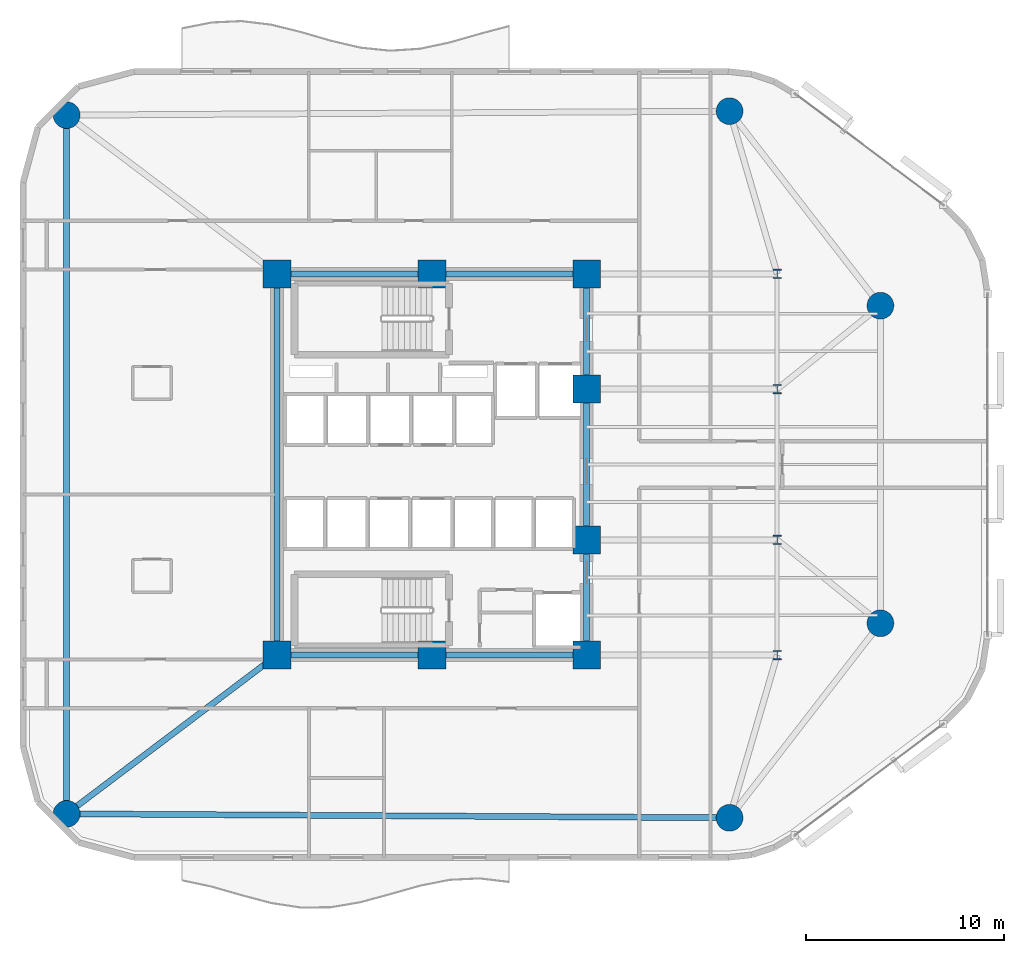
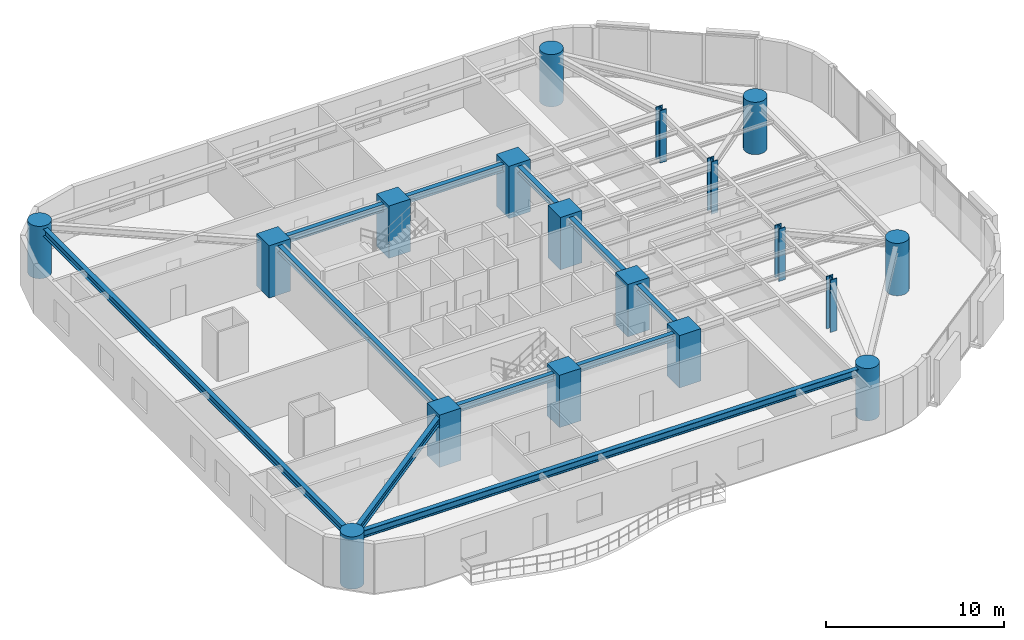
# One storey, part 1 of 15: 18 columns, 9 beams.
"""IFC4 building model written with IfcOpenShell, lengths in metres."""

import ifcopenshell
import ifcopenshell.guid

model = None  # the IFC model being written
_history = None  # IfcOwnerHistory: only IFC2X3 demands one
_inside = {}  # id of a spatial element -> (the spatial element, [elements in it])
_under = {}  # id of a project, library or spatial element -> (it, [spatial elements below it])
_declared = {}  # id of a project -> (the project, [libraries it declares])
_typed = {}  # id of a type object -> (the type object, [elements of that type])
_made_of = {}  # id of a material, layer set ... -> (it, [elements and type objects made of it])


def new_model(schema):
    """Start an empty IFC model of exactly this schema.

    Asked for "IFC4X3", IfcOpenShell would pick the latest addendum, in which some entities
    have other attributes; the version numbers below select the first issue.
    IFC2X3 requires an IfcOwnerHistory on every rooted entity: one is made here for all.
    """
    global model, _history
    if schema == "IFC4X3":
        model = ifcopenshell.file(schema_version=(4, 3, 0, 0))
    else:
        model = ifcopenshell.file(schema=schema)
    _inside.clear()
    _under.clear()
    _declared.clear()
    _typed.clear()
    _made_of.clear()
    _history = None
    if model.schema == "IFC2X3":
        org = make("IfcOrganization", Name="unknown")
        user = make(
            "IfcPersonAndOrganization",
            ThePerson=make("IfcPerson", FamilyName="unknown"),
            TheOrganization=org,
        )
        app = make(
            "IfcApplication",
            ApplicationDeveloper=org,
            Version="unknown",
            ApplicationFullName="unknown",
            ApplicationIdentifier="unknown",
        )
        _history = make(
            "IfcOwnerHistory",
            OwningUser=user,
            OwningApplication=app,
            ChangeAction="ADDED",
            CreationDate=0,
        )
    return model


def make(cls, **values):
    """One entity of the class cls with the attributes given. An attribute that is None is left unset."""
    return model.create_entity(
        cls, **{name: value for name, value in values.items() if value is not None}
    )


def rooted(cls, **values):
    """An entity with a GlobalId (a new one), such as an element, a storey or a relation."""
    return make(cls, GlobalId=ifcopenshell.guid.new(), OwnerHistory=_history, **values)


def si_unit(unit_type, name, prefix=None):
    """IfcSIUnit, for example si_unit("LENGTHUNIT", "METRE", prefix="MILLI")."""
    return make("IfcSIUnit", UnitType=unit_type, Prefix=prefix, Name=name)


def assignment(units):
    """IfcUnitAssignment: the units of a project."""
    return None if units is None else make("IfcUnitAssignment", Units=units)


def point(xyz):
    """IfcCartesianPoint."""
    return None if xyz is None else make("IfcCartesianPoint", Coordinates=xyz)


def direction(xyz):
    """IfcDirection."""
    return None if xyz is None else make("IfcDirection", DirectionRatios=xyz)


def frame(location, z_axis=None, x_axis=None):
    """IfcAxis2Placement3D, a coordinate frame: its origin and axes. An axis left out is left unset."""
    return make(
        "IfcAxis2Placement3D",
        Location=point(location),
        Axis=direction(z_axis),
        RefDirection=direction(x_axis),
    )


def frame_2d(location, x_axis=None):
    """IfcAxis2Placement2D, a coordinate frame in the plane: its origin and x axis."""
    return make(
        "IfcAxis2Placement2D", Location=point(location), RefDirection=direction(x_axis)
    )


def origin():
    """The frame at (0, 0, 0) with its axes left unset."""
    return frame((0.0, 0.0, 0.0))


def origin_2d():
    """The frame at (0, 0) in the plane with its x axis left unset."""
    return frame_2d((0.0, 0.0))


def place(relative_to, where):
    """IfcLocalPlacement: puts the frame where relative to a parent placement (None: the world)."""
    return make(
        "IfcLocalPlacement", PlacementRelTo=relative_to, RelativePlacement=where
    )


def context(
    kind, dimensions, precision=None, world=None, true_north=None, identifier=None
):
    """IfcGeometricRepresentationContext, for example the 3D "Model" context."""
    return make(
        "IfcGeometricRepresentationContext",
        ContextIdentifier=identifier,
        ContextType=kind,
        CoordinateSpaceDimension=dimensions,
        Precision=precision,
        WorldCoordinateSystem=world,
        TrueNorth=true_north,
    )


def subcontext(parent, identifier, kind, view, scale=None):
    """IfcGeometricRepresentationSubContext, for example "Body" below "Model"."""
    return make(
        "IfcGeometricRepresentationSubContext",
        ContextIdentifier=identifier,
        ContextType=kind,
        ParentContext=parent,
        TargetScale=scale,
        TargetView=view,
    )


def project(units=None, contexts=None):
    """IfcProject with its units and contexts."""
    return rooted(
        "IfcProject",
        Name="project",
        RepresentationContexts=contexts,
        UnitsInContext=assignment(units),
    )


def spatial(cls, under=None, at=None, **own):
    """A site, building, storey or space (cls), placed at a placement, below another one or the project."""
    s = rooted(cls, ObjectPlacement=at, **own)
    if under is not None:
        _under.setdefault(under.id(), (under, []))[1].append(s)
    return s


def profile(cls, at=None, kind="AREA", **sizes):
    """A parametric profile (cls). Its sizes go by their IFC names, for example OverallWidth=200.0."""
    return make(cls, ProfileType=kind, Position=at, **sizes)


def rectangle(**sizes):
    """IfcRectangleProfileDef."""
    return profile("IfcRectangleProfileDef", **sizes)


def circle(**sizes):
    """IfcCircleProfileDef."""
    return profile("IfcCircleProfileDef", **sizes)


def i_section(**sizes):
    """IfcIShapeProfileDef."""
    return profile("IfcIShapeProfileDef", **sizes)


def extrude(swept, where, along, depth):
    """IfcExtrudedAreaSolid: the profile swept, set in the frame where, extruded along a direction by depth."""
    return make(
        "IfcExtrudedAreaSolid",
        SweptArea=swept,
        Position=where,
        ExtrudedDirection=direction(along),
        Depth=depth,
    )


def shape(context_of_items, identifier, shape_type, items):
    """IfcShapeRepresentation: the items that make up one representation, for example the "Body"."""
    return make(
        "IfcShapeRepresentation",
        ContextOfItems=context_of_items,
        RepresentationIdentifier=identifier,
        RepresentationType=shape_type,
        Items=items,
    )


def material(Name=None, Category=None):
    """IfcMaterial."""
    return make("IfcMaterial", Name=Name, Category=Category)


def material_profile(
    of_material, cross_section, Name=None, Category=None, Priority=None
):
    """IfcMaterialProfile: a cross section and its material."""
    return make(
        "IfcMaterialProfile",
        Name=Name,
        Material=of_material,
        Profile=cross_section,
        Priority=Priority,
        Category=Category,
    )


def profile_set(profiles, Name=None, composite=None):
    """IfcMaterialProfileSet."""
    return make(
        "IfcMaterialProfileSet",
        Name=Name,
        MaterialProfiles=profiles,
        CompositeProfile=composite,
    )


def made_of(thing, what):
    """Note that an element or type object is made of a material, layer set ...; save() writes the relation."""
    if what is not None:
        _made_of.setdefault(what.id(), (what, []))[1].append(thing)
    return thing


def type_object(cls, material=None, **own):
    """A type object (cls), such as IfcWallType, which elements share."""
    return made_of(rooted(cls, **own), material)


def element(
    cls,
    number,
    at=None,
    inside=None,
    cuts=None,
    type_object=None,
    material=None,
    context=None,
    identifier="Body",
    shape_type=None,
    held_by="IfcProductDefinitionShape",
    body=None,
    shapes=None,
    **own,
):
    """One element of the class cls, such as IfcWall. Its Tag is "e" and its number.

    at: its placement. inside: the storey or other place that contains it. cuts: it is an
    opening in that element (IfcRelVoidsElement). A single representation is given by context,
    identifier, shape_type and body (its items); several are given by shapes. held_by: the class
    of the entity that holds the representations. save() writes the other relations.
    """
    e = rooted(cls, Tag="e%d" % number, ObjectPlacement=at, **own)
    if body is not None:
        shapes = [shape(context, identifier, shape_type, body)]
    if shapes is not None:
        e.Representation = make(held_by, Representations=shapes)
    if inside is not None:
        _inside.setdefault(inside.id(), (inside, []))[1].append(e)
    if cuts is not None:
        rooted(
            "IfcRelVoidsElement", RelatingBuildingElement=cuts, RelatedOpeningElement=e
        )
    if type_object is not None:
        _typed.setdefault(type_object.id(), (type_object, []))[1].append(e)
    return made_of(e, material)


def aggregate(whole, parts):
    """IfcRelAggregates: a whole, such as a stair, and the parts it consists of."""
    return rooted("IfcRelAggregates", RelatingObject=whole, RelatedObjects=parts)


def save(model, path):
    """Write the relations noted so far, then the file.

    IfcRelAggregates (storeys below a building ...), IfcRelContainedInSpatialStructure (elements
    in a storey), IfcRelDefinesByType, IfcRelAssociatesMaterial and IfcRelDeclares: one each for
    every whole, place, type object, material and project.
    """
    for whole, parts in _under.values():
        aggregate(whole, parts)
    for where, things in _inside.values():
        rooted(
            "IfcRelContainedInSpatialStructure",
            RelatedElements=things,
            RelatingStructure=where,
        )
    for kind, things in _typed.values():
        rooted("IfcRelDefinesByType", RelatedObjects=things, RelatingType=kind)
    for what, things in _made_of.values():
        rooted("IfcRelAssociatesMaterial", RelatedObjects=things, RelatingMaterial=what)
    for by, libraries in _declared.values():
        rooted("IfcRelDeclares", RelatingContext=by, RelatedDefinitions=libraries)
    model.write(path)


model = new_model("IFC4")

# Units and contexts
model_context = context("Model", 3, precision=1e-05, world=origin(), true_north=direction((0.0, 1.0)))
body_context = subcontext(model_context, "Body", "Model", "MODEL_VIEW")
ifc_project = project(units=[si_unit("LENGTHUNIT", "METRE"), si_unit("AREAUNIT", "SQUARE_METRE"), si_unit("VOLUMEUNIT", "CUBIC_METRE"), si_unit("PLANEANGLEUNIT", "RADIAN"), si_unit("MASSUNIT", "GRAM", prefix="KILO")], contexts=[model_context])

# Site, building, storey
site_placement = place(None, origin())
site = spatial("IfcSite", under=ifc_project, at=site_placement, CompositionType="ELEMENT")
building_placement = place(site_placement, origin())
building = spatial("IfcBuilding", under=site, at=building_placement, Name="An Khanh Terracotta Commons", CompositionType="ELEMENT")
storey_placement = place(building_placement, frame((0.0, 0.0, 86.300048828125)))
storey = spatial("IfcBuildingStorey", under=building, at=storey_placement, Name="L22", CompositionType="ELEMENT", Elevation=86.300048828125)

# Columns
ifc_material_1 = material(Name="Concrete C70/85", Category="concrete")
ifc_material_profile_1 = material_profile(ifc_material_1, circle(Radius=0.675048828125, at=origin_2d()), Name="CFST1350")
ifc_profile_set_1 = profile_set([ifc_material_profile_1], Name="Concrete C70/85")
column_type_1 = type_object("IfcColumnType", Name="COL-CFST1350", PredefinedType="COLUMN", material=ifc_profile_set_1)
for number, where, z_axis, x_axis, name in (
    (1, (11.0, 6.39990234375, 0.0), (0.0, 0.0, 1.0), (1.0, 0.0, 0.0), "L22 Perimeter CFST Mega-Column MC-01"),
    (2, (44.39990234375, 6.199951171875, 0.0), (0.0, 0.0, 1.0), (1.0, 0.0, 0.0), "L22 Perimeter CFST Mega-Column MC-02"),
    (3, (52.0, 16.0, 0.0), (0.0, 0.0, 1.0), (1.0, 0.0, 0.0), "L22 Perimeter CFST Mega-Column MC-03"),
    (4, (52.0, 32.0, 0.0), (0.0, 0.0, 1.0), (1.0, 0.0, 0.0), "L22 Perimeter CFST Mega-Column MC-04"),
    (5, (44.39990234375, 41.800048828125, 0.0), (0.0, 0.0, 1.0), (1.0, 0.0, 0.0), "L22 Perimeter CFST Mega-Column MC-05"),
    (6, (11.0, 41.60009765625, 0.0), (0.0, 0.0, 1.0), (1.0, 0.0, 0.0), "L22 Perimeter CFST Mega-Column MC-06"),
):
    element("IfcColumn", number, at=place(storey_placement, frame(where, z_axis=z_axis, x_axis=x_axis)), inside=storey, type_object=column_type_1, Name=name, PredefinedType="COLUMN", context=body_context, shape_type="SweptSolid", body=[
        extrude(circle(Radius=0.675048828125, at=origin_2d()), origin(), (0.0, 0.0, 1.0), 3.599853515625),
    ])
ifc_material_2 = material(Name="Steel S460ML", Category="steel")
ifc_material_profile_2 = material_profile(ifc_material_2, i_section(OverallWidth=0.4169921875, OverallDepth=0.47705078125, WebThickness=0.035888671875, FlangeThickness=0.057373046875, FilletRadius=0.014892578125, at=origin_2d()), Name="HD400x463")
ifc_profile_set_2 = profile_set([ifc_material_profile_2], Name="Steel S460ML")
column_type_2 = type_object("IfcColumnType", Name="COL-HD400x463", PredefinedType="COLUMN", material=ifc_profile_set_2)
for number, where, z_axis, x_axis, name in (
    (7, (46.800048828125, 14.39990234375, 0.0), (0.0, 0.0, 1.0), (1.0, 0.0, 0.0), "L22 Interior Frame Column TC-01"),
    (8, (46.800048828125, 20.199951171875, 0.0), (0.0, 0.0, 1.0), (1.0, 0.0, 0.0), "L22 Interior Frame Column TC-02"),
    (9, (46.800048828125, 27.800048828125, 0.0), (0.0, 0.0, 1.0), (1.0, 0.0, 0.0), "L22 Interior Frame Column TC-03"),
    (10, (46.800048828125, 33.60009765625, 0.0), (0.0, 0.0, 1.0), (1.0, 0.0, 0.0), "L22 Interior Frame Column TC-04"),
):
    element("IfcColumn", number, at=place(storey_placement, frame(where, z_axis=z_axis, x_axis=x_axis)), inside=storey, type_object=column_type_2, Name=name, PredefinedType="COLUMN", context=body_context, shape_type="SweptSolid", body=[
        extrude(i_section(OverallWidth=0.4169921875, OverallDepth=0.47705078125, WebThickness=0.035888671875, FlangeThickness=0.057373046875, FilletRadius=0.014892578125, at=origin_2d()), origin(), (0.0, 0.0, 1.0), 3.599853515625),
    ])
ifc_material_profile_3 = material_profile(ifc_material_1, rectangle(XDim=1.39990234375, YDim=1.39990234375, at=origin_2d()), Name="RC1400x1400")
ifc_profile_set_3 = profile_set([ifc_material_profile_3], Name="Concrete C70/85")
column_type_3 = type_object("IfcColumnType", Name="COL-RC1400x1400", PredefinedType="COLUMN", material=ifc_profile_set_3)
for number, where, z_axis, x_axis, name in (
    (11, (21.60009765625, 14.39990234375, 0.0), (0.0, 0.0, 1.0), (1.0, 0.0, 0.0), "L22 Core Boundary Column CC-01"),
    (12, (29.39990234375, 14.39990234375, 0.0), (0.0, 0.0, 1.0), (1.0, 0.0, 0.0), "L22 Core Boundary Column CC-02"),
    (13, (37.199951171875, 14.39990234375, 0.0), (0.0, 0.0, 1.0), (1.0, 0.0, 0.0), "L22 Core Boundary Column CC-03"),
    (14, (37.199951171875, 20.199951171875, 0.0), (0.0, 0.0, 1.0), (1.0, 0.0, 0.0), "L22 Core Boundary Column CC-04"),
    (15, (37.199951171875, 27.800048828125, 0.0), (0.0, 0.0, 1.0), (1.0, 0.0, 0.0), "L22 Core Boundary Column CC-05"),
    (16, (37.199951171875, 33.60009765625, 0.0), (0.0, 0.0, 1.0), (1.0, 0.0, 0.0), "L22 Core Boundary Column CC-06"),
    (17, (29.39990234375, 33.60009765625, 0.0), (0.0, 0.0, 1.0), (1.0, 0.0, 0.0), "L22 Core Boundary Column CC-07"),
    (18, (21.60009765625, 33.60009765625, 0.0), (0.0, 0.0, 1.0), (1.0, 0.0, 0.0), "L22 Core Boundary Column CC-08"),
):
    element("IfcColumn", number, at=place(storey_placement, frame(where, z_axis=z_axis, x_axis=x_axis)), inside=storey, type_object=column_type_3, Name=name, PredefinedType="COLUMN", context=body_context, shape_type="SweptSolid", body=[
        extrude(rectangle(XDim=1.39990234375, YDim=1.39990234375, at=origin_2d()), origin(), (0.0, 0.0, 1.0), 3.599853515625),
    ])

# Beams
ifc_material_3 = material(Name="Steel S355J2", Category="steel")
ifc_material_profile_4 = material_profile(ifc_material_3, i_section(OverallWidth=0.300048828125, OverallDepth=0.449951171875, WebThickness=0.013916015625, FlangeThickness=0.02587890625, FilletRadius=0.027099609375, at=origin_2d()), Name="HEB450")
ifc_profile_set_4 = profile_set([ifc_material_profile_4], Name="Steel S355J2")
beam_type_1 = type_object("IfcBeamType", Name="BM-HEB450", PredefinedType="BEAM", material=ifc_profile_set_4)
beam_1_placement = place(storey_placement, frame((37.199951171875, 14.39990234375, 3.175048828125), z_axis=(0.0, 1.0, 0.0), x_axis=(-1.0, 0.0, 0.0)))
element("IfcBeam", 19, at=beam_1_placement, inside=storey, type_object=beam_type_1, Name="L22 Core East Coupling Girder 1", PredefinedType="BEAM", context=body_context, shape_type="SweptSolid", body=[
    extrude(i_section(OverallWidth=0.300048828125, OverallDepth=0.449951171875, WebThickness=0.013916015625, FlangeThickness=0.02587890625, FilletRadius=0.027099609375, at=origin_2d()), origin(), (0.0, 0.0, 1.0), 5.800048828125),
])
beam_2_placement = place(storey_placement, frame((37.199951171875, 20.199951171875, 3.175048828125), z_axis=(0.0, 1.0, 0.0), x_axis=(-1.0, 0.0, 0.0)))
element("IfcBeam", 20, at=beam_2_placement, inside=storey, type_object=beam_type_1, Name="L22 Core East Coupling Girder 2", PredefinedType="BEAM", context=body_context, shape_type="SweptSolid", body=[
    extrude(i_section(OverallWidth=0.300048828125, OverallDepth=0.449951171875, WebThickness=0.013916015625, FlangeThickness=0.02587890625, FilletRadius=0.027099609375, at=origin_2d()), origin(), (0.0, 0.0, 1.0), 7.60009765625),
])
beam_3_placement = place(storey_placement, frame((37.199951171875, 27.800048828125, 3.175048828125), z_axis=(0.0, 1.0, 0.0), x_axis=(-1.0, 0.0, 0.0)))
element("IfcBeam", 21, at=beam_3_placement, inside=storey, type_object=beam_type_1, Name="L22 Core East Coupling Girder 3", PredefinedType="BEAM", context=body_context, shape_type="SweptSolid", body=[
    extrude(i_section(OverallWidth=0.300048828125, OverallDepth=0.449951171875, WebThickness=0.013916015625, FlangeThickness=0.02587890625, FilletRadius=0.027099609375, at=origin_2d()), origin(), (0.0, 0.0, 1.0), 5.800048828125),
])
beam_4_placement = place(storey_placement, frame((21.60009765625, 14.39990234375, 3.175048828125), z_axis=(0.0, 1.0, 0.0), x_axis=(-1.0, 0.0, 0.0)))
element("IfcBeam", 22, at=beam_4_placement, inside=storey, type_object=beam_type_1, Name="L22 Core West Coupling Girder", PredefinedType="BEAM", context=body_context, shape_type="SweptSolid", body=[
    extrude(i_section(OverallWidth=0.300048828125, OverallDepth=0.449951171875, WebThickness=0.013916015625, FlangeThickness=0.02587890625, FilletRadius=0.027099609375, at=origin_2d()), origin(), (0.0, 0.0, 1.0), 19.2001953125),
])
ifc_material_profile_5 = material_profile(ifc_material_3, i_section(OverallWidth=0.300048828125, OverallDepth=0.5, WebThickness=0.014404296875, FlangeThickness=0.028076171875, FilletRadius=0.027099609375, at=origin_2d()), Name="HEB500")
ifc_profile_set_5 = profile_set([ifc_material_profile_5], Name="Steel S355J2")
beam_type_2 = type_object("IfcBeamType", Name="BM-HEB500", PredefinedType="BEAM", material=ifc_profile_set_5)
for number, where, z_axis, x_axis, name in (
    (23, (21.60009765625, 14.39990234375, 3.14990234375), (1.0, 0.0, 0.0), (0.0, 1.0, 0.0), "L22 Core South Coupling Girder"),
    (24, (21.60009765625, 33.60009765625, 3.14990234375), (1.0, 0.0, 0.0), (0.0, 1.0, 0.0), "L22 Core North Coupling Girder"),
):
    element("IfcBeam", number, at=place(storey_placement, frame(where, z_axis=z_axis, x_axis=x_axis)), inside=storey, type_object=beam_type_2, Name=name, PredefinedType="BEAM", context=body_context, shape_type="SweptSolid", body=[
        extrude(i_section(OverallWidth=0.300048828125, OverallDepth=0.5, WebThickness=0.014404296875, FlangeThickness=0.028076171875, FilletRadius=0.027099609375, at=origin_2d()), origin(), (0.0, 0.0, 1.0), 15.599853515625),
    ])
beam_5_placement = place(storey_placement, frame((11.0, 6.39990234375, 3.14990234375), z_axis=(0.999982080914, -0.005986472262, 0.0), x_axis=(0.005986472262, 0.999982080914, 0.0)))
element("IfcBeam", 25, at=beam_5_placement, inside=storey, type_object=beam_type_2, Name="L22 Perimeter Ring Spandrel 1", PredefinedType="BEAM", context=body_context, shape_type="SweptSolid", body=[
    extrude(i_section(OverallWidth=0.300048828125, OverallDepth=0.5, WebThickness=0.014404296875, FlangeThickness=0.028076171875, FilletRadius=0.027099609375, at=origin_2d()), origin(), (0.0, 0.0, 1.0), 33.400390625),
])
beam_6_placement = place(storey_placement, frame((11.0, 41.60009765625, 3.14990234375), z_axis=(0.0, -1.0, 0.0), x_axis=(1.0, 0.0, 0.0)))
element("IfcBeam", 26, at=beam_6_placement, inside=storey, type_object=beam_type_2, Name="L22 Perimeter Ring Spandrel 6", PredefinedType="BEAM", context=body_context, shape_type="SweptSolid", body=[
    extrude(i_section(OverallWidth=0.300048828125, OverallDepth=0.5, WebThickness=0.014404296875, FlangeThickness=0.028076171875, FilletRadius=0.027099609375, at=origin_2d()), origin(), (0.0, 0.0, 1.0), 35.2001953125),
])
beam_7_placement = place(storey_placement, frame((11.0, 6.39990234375, 3.14990234375), z_axis=(0.798191818888, 0.602403370061, 0.0), x_axis=(-0.602403370061, 0.798191818888, 0.0)))
element("IfcBeam", 27, at=beam_7_placement, inside=storey, type_object=beam_type_2, Name="L22 Mega-Column Tie Girder 1", PredefinedType="BEAM", context=body_context, shape_type="SweptSolid", body=[
    extrude(i_section(OverallWidth=0.300048828125, OverallDepth=0.5, WebThickness=0.014404296875, FlangeThickness=0.028076171875, FilletRadius=0.027099609375, at=origin_2d()), origin(), (0.0, 0.0, 1.0), 13.280029296875),
])

save(model, "model.ifc")
